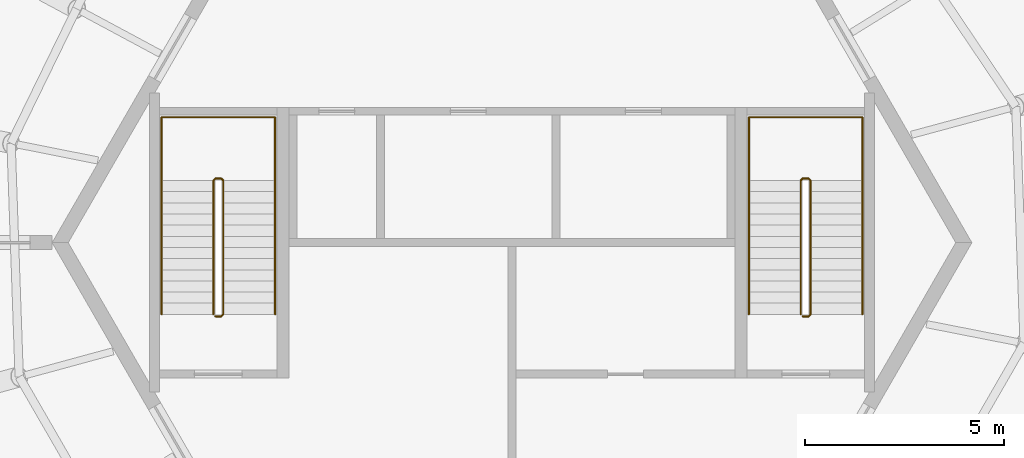
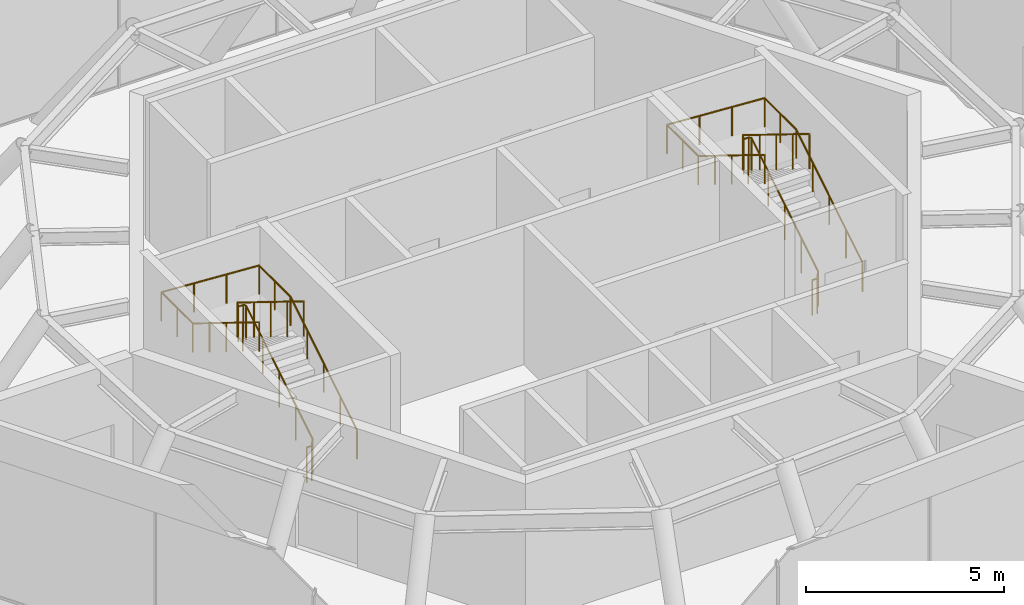
# One storey, part 9 of 9: 4 railings.
"""IFC4 building model written with IfcOpenShell, lengths in metres."""

from ifc_helpers import new_model, si_unit, direction, frame, origin, origin_2d, place, context, subcontext, project, spatial, circle, extrude, material, type_object, element, save


model = new_model("IFC4")

# Units and contexts
model_context = context("Model", 3, precision=1e-05, world=origin(), true_north=direction((0.0, 1.0)))
body_context = subcontext(model_context, "Body", "Model", "MODEL_VIEW")
ifc_project = project(units=[si_unit("LENGTHUNIT", "METRE"), si_unit("AREAUNIT", "SQUARE_METRE"), si_unit("VOLUMEUNIT", "CUBIC_METRE"), si_unit("PLANEANGLEUNIT", "RADIAN"), si_unit("MASSUNIT", "GRAM", prefix="KILO")], contexts=[model_context])

# Site, building, storey
site_placement = place(None, origin())
site = spatial("IfcSite", under=ifc_project, at=site_placement, CompositionType="ELEMENT")
building_placement = place(site_placement, origin())
building = spatial("IfcBuilding", under=site, at=building_placement, Name="Tarnside Tower", CompositionType="ELEMENT")
storey_placement = place(building_placement, frame((0.0, 0.0, 397.199951171875)))
storey = spatial("IfcBuildingStorey", under=building, at=storey_placement, Name="L94", CompositionType="ELEMENT", Elevation=397.199951171875)

# Railings
ifc_material = material(Name="Stainless steel", Category="steel")
railing_type_1 = type_object("IfcRailingType", Name="Stair guard 1100", PredefinedType="GUARDRAIL", material=ifc_material)
railing_1_placement = place(storey_placement, frame((7.300048828125, -1.85009765625, 0.0)))
element("IfcRailing", 1, at=railing_1_placement, inside=storey, type_object=railing_type_1, Name="L94 ST1 stair guard 1", PredefinedType="GUARDRAIL", context=body_context, shape_type="SweptSolid", body=[
    extrude(circle(Radius=0.02392578125, at=origin_2d()), frame((0.0, 0.0, 1.076171875), z_axis=(1.0, 0.0, 0.0), x_axis=(0.0, 1.0, 0.0)), (0.0, 0.0, 1.0), 0.14990234375),
    extrude(circle(Radius=0.02392578125, at=origin_2d()), frame((0.14990234375, 0.0, 1.076171875), z_axis=(0.267629722418, 0.267629722418, 0.925607186314), x_axis=(-0.707106781187, 0.707106781187, 0.0)), (0.0, 0.0, 1.0), 0.18701171875),
    extrude(circle(Radius=0.02392578125, at=origin_2d()), frame((0.199951171875, 0.050048828125, 1.2490234375), z_axis=(0.0, 0.850623216509, 0.525775754039), x_axis=(-1.0, 0.0, 0.0)), (0.0, 0.0, 1.0), 3.9501953125),
    extrude(circle(Radius=0.02392578125, at=origin_2d()), frame((0.199951171875, 3.41015625, 3.326171875), z_axis=(-0.707106781187, 0.707106781187, 0.0), x_axis=(-0.707106781187, -0.707106781187, 0.0)), (0.0, 0.0, 1.0), 0.07080078125),
    extrude(circle(Radius=0.02392578125, at=origin_2d()), frame((0.14990234375, 3.460205078125, 3.326171875), z_axis=(-1.0, 0.0, 0.0), x_axis=(0.0, -1.0, 0.0)), (0.0, 0.0, 1.0), 0.14990234375),
    extrude(circle(Radius=0.02392578125, at=origin_2d()), frame((0.0, 3.460205078125, 3.326171875), z_axis=(-0.267629722418, -0.267629722418, 0.925607186314), x_axis=(0.707106781187, -0.707106781187, 0.0)), (0.0, 0.0, 1.0), 0.18701171875),
    extrude(circle(Radius=0.02392578125, at=origin_2d()), frame((-0.050048828125, 3.41015625, 3.4990234375), z_axis=(0.0, -0.850623216509, 0.525775754039), x_axis=(1.0, 0.0, 0.0)), (0.0, 0.0, 1.0), 3.9501953125),
    extrude(circle(Radius=0.02099609375, at=origin_2d()), origin(), (0.0, 0.0, 1.0), 1.052001953125),
    extrude(circle(Radius=0.02099609375, at=origin_2d()), frame((0.14990234375, 0.0, 0.0)), (0.0, 0.0, 1.0), 1.052001953125),
    extrude(circle(Radius=0.02099609375, at=origin_2d()), frame((0.199951171875, 0.050048828125, 0.173095703125)), (0.0, 0.0, 1.0), 1.052001953125),
    extrude(circle(Radius=0.02099609375, at=origin_2d()), frame((0.199951171875, 0.89013671875, 0.6923828125)), (0.0, 0.0, 1.0), 1.052001953125),
    extrude(circle(Radius=0.02099609375, at=origin_2d()), frame((0.199951171875, 1.72998046875, 1.21142578125)), (0.0, 0.0, 1.0), 1.052001953125),
    extrude(circle(Radius=0.02099609375, at=origin_2d()), frame((0.199951171875, 2.570068359375, 1.730712890625)), (0.0, 0.0, 1.0), 1.052001953125),
    extrude(circle(Radius=0.02099609375, at=origin_2d()), frame((0.199951171875, 3.41015625, 2.25)), (0.0, 0.0, 1.0), 1.052001953125),
    extrude(circle(Radius=0.02099609375, at=origin_2d()), frame((0.14990234375, 3.460205078125, 2.25)), (0.0, 0.0, 1.0), 1.052001953125),
    extrude(circle(Radius=0.02099609375, at=origin_2d()), frame((0.0, 3.460205078125, 2.25)), (0.0, 0.0, 1.0), 1.052001953125),
    extrude(circle(Radius=0.02099609375, at=origin_2d()), frame((-0.050048828125, 3.41015625, 2.423095703125)), (0.0, 0.0, 1.0), 1.052001953125),
    extrude(circle(Radius=0.02099609375, at=origin_2d()), frame((-0.050048828125, 2.570068359375, 2.9423828125)), (0.0, 0.0, 1.0), 1.052001953125),
    extrude(circle(Radius=0.02099609375, at=origin_2d()), frame((-0.050048828125, 1.72998046875, 3.46142578125)), (0.0, 0.0, 1.0), 1.052001953125),
    extrude(circle(Radius=0.02099609375, at=origin_2d()), frame((-0.050048828125, 0.89013671875, 3.980712890625)), (0.0, 0.0, 1.0), 1.052001953125),
    extrude(circle(Radius=0.02099609375, at=origin_2d()), frame((-0.050048828125, 0.050048828125, 4.5)), (0.0, 0.0, 1.0), 1.052001953125),
])
railing_2_placement = place(storey_placement, frame((-7.449951171875, -1.85009765625, 0.0)))
element("IfcRailing", 2, at=railing_2_placement, inside=storey, type_object=railing_type_1, Name="L94 ST2 stair guard 1", PredefinedType="GUARDRAIL", context=body_context, shape_type="SweptSolid", body=[
    extrude(circle(Radius=0.02392578125, at=origin_2d()), frame((0.0, 0.0, 1.076171875), z_axis=(1.0, 0.0, 0.0), x_axis=(0.0, 1.0, 0.0)), (0.0, 0.0, 1.0), 0.14990234375),
    extrude(circle(Radius=0.02392578125, at=origin_2d()), frame((0.14990234375, 0.0, 1.076171875), z_axis=(0.267629722418, 0.267629722418, 0.925607186314), x_axis=(-0.707106781187, 0.707106781187, 0.0)), (0.0, 0.0, 1.0), 0.18701171875),
    extrude(circle(Radius=0.02392578125, at=origin_2d()), frame((0.199951171875, 0.050048828125, 1.2490234375), z_axis=(0.0, 0.850623216509, 0.525775754039), x_axis=(-1.0, 0.0, 0.0)), (0.0, 0.0, 1.0), 3.9501953125),
    extrude(circle(Radius=0.02392578125, at=origin_2d()), frame((0.199951171875, 3.41015625, 3.326171875), z_axis=(-0.707106781187, 0.707106781187, 0.0), x_axis=(-0.707106781187, -0.707106781187, 0.0)), (0.0, 0.0, 1.0), 0.07080078125),
    extrude(circle(Radius=0.02392578125, at=origin_2d()), frame((0.14990234375, 3.460205078125, 3.326171875), z_axis=(-1.0, 0.0, 0.0), x_axis=(0.0, -1.0, 0.0)), (0.0, 0.0, 1.0), 0.14990234375),
    extrude(circle(Radius=0.02392578125, at=origin_2d()), frame((0.0, 3.460205078125, 3.326171875), z_axis=(-0.267629722418, -0.267629722418, 0.925607186314), x_axis=(0.707106781187, -0.707106781187, 0.0)), (0.0, 0.0, 1.0), 0.18701171875),
    extrude(circle(Radius=0.02392578125, at=origin_2d()), frame((-0.050048828125, 3.41015625, 3.4990234375), z_axis=(0.0, -0.850623216509, 0.525775754039), x_axis=(1.0, 0.0, 0.0)), (0.0, 0.0, 1.0), 3.9501953125),
    extrude(circle(Radius=0.02099609375, at=origin_2d()), origin(), (0.0, 0.0, 1.0), 1.052001953125),
    extrude(circle(Radius=0.02099609375, at=origin_2d()), frame((0.14990234375, 0.0, 0.0)), (0.0, 0.0, 1.0), 1.052001953125),
    extrude(circle(Radius=0.02099609375, at=origin_2d()), frame((0.199951171875, 0.050048828125, 0.173095703125)), (0.0, 0.0, 1.0), 1.052001953125),
    extrude(circle(Radius=0.02099609375, at=origin_2d()), frame((0.199951171875, 0.89013671875, 0.6923828125)), (0.0, 0.0, 1.0), 1.052001953125),
    extrude(circle(Radius=0.02099609375, at=origin_2d()), frame((0.199951171875, 1.72998046875, 1.21142578125)), (0.0, 0.0, 1.0), 1.052001953125),
    extrude(circle(Radius=0.02099609375, at=origin_2d()), frame((0.199951171875, 2.570068359375, 1.730712890625)), (0.0, 0.0, 1.0), 1.052001953125),
    extrude(circle(Radius=0.02099609375, at=origin_2d()), frame((0.199951171875, 3.41015625, 2.25)), (0.0, 0.0, 1.0), 1.052001953125),
    extrude(circle(Radius=0.02099609375, at=origin_2d()), frame((0.14990234375, 3.460205078125, 2.25)), (0.0, 0.0, 1.0), 1.052001953125),
    extrude(circle(Radius=0.02099609375, at=origin_2d()), frame((0.0, 3.460205078125, 2.25)), (0.0, 0.0, 1.0), 1.052001953125),
    extrude(circle(Radius=0.02099609375, at=origin_2d()), frame((-0.050048828125, 3.41015625, 2.423095703125)), (0.0, 0.0, 1.0), 1.052001953125),
    extrude(circle(Radius=0.02099609375, at=origin_2d()), frame((-0.050048828125, 2.570068359375, 2.9423828125)), (0.0, 0.0, 1.0), 1.052001953125),
    extrude(circle(Radius=0.02099609375, at=origin_2d()), frame((-0.050048828125, 1.72998046875, 3.46142578125)), (0.0, 0.0, 1.0), 1.052001953125),
    extrude(circle(Radius=0.02099609375, at=origin_2d()), frame((-0.050048828125, 0.89013671875, 3.980712890625)), (0.0, 0.0, 1.0), 1.052001953125),
    extrude(circle(Radius=0.02099609375, at=origin_2d()), frame((-0.050048828125, 0.050048828125, 4.5)), (0.0, 0.0, 1.0), 1.052001953125),
])
railing_type_2 = type_object("IfcRailingType", Name="Stair handrail 900", PredefinedType="HANDRAIL", material=ifc_material)
railing_3_placement = place(storey_placement, frame((8.800048828125, -1.800048828125, 0.173095703125)))
element("IfcRailing", 3, at=railing_3_placement, inside=storey, type_object=railing_type_2, Name="L94 ST1 stair handrail 1", PredefinedType="HANDRAIL", context=body_context, shape_type="SweptSolid", body=[
    extrude(circle(Radius=0.02392578125, at=origin_2d()), frame((0.0, 0.0, 0.8857421875), z_axis=(0.0, 0.850623216509, 0.525775754039), x_axis=(-1.0, 0.0, 0.0)), (0.0, 0.0, 1.0), 3.9501953125),
    extrude(circle(Radius=0.02392578125, at=origin_2d()), frame((0.0, 3.360107421875, 2.962890625), z_axis=(0.0, 1.0, 0.0), x_axis=(-1.0, 0.0, 0.0)), (0.0, 0.0, 1.0), 1.58984375),
    extrude(circle(Radius=0.02392578125, at=origin_2d()), frame((0.0, 4.949951171875, 2.962890625), z_axis=(-0.9981608223, 0.0, 0.060621554138), x_axis=(0.0, -1.0, 0.0)), (0.0, 0.0, 1.0), 2.85546875),
    extrude(circle(Radius=0.02392578125, at=origin_2d()), frame((-2.85009765625, 4.949951171875, 3.1357421875), z_axis=(0.0, -1.0, 0.0), x_axis=(1.0, 0.0, 0.0)), (0.0, 0.0, 1.0), 1.58984375),
    extrude(circle(Radius=0.02392578125, at=origin_2d()), frame((-2.85009765625, 3.360107421875, 3.1357421875), z_axis=(0.0, -0.850623216509, 0.525775754039), x_axis=(1.0, 0.0, 0.0)), (0.0, 0.0, 1.0), 3.9501953125),
    extrude(circle(Radius=0.02099609375, at=origin_2d()), origin(), (0.0, 0.0, 1.0), 0.86181640625),
    extrude(circle(Radius=0.02099609375, at=origin_2d()), frame((0.0, 0.840087890625, 0.519287109375)), (0.0, 0.0, 1.0), 0.86181640625),
    extrude(circle(Radius=0.02099609375, at=origin_2d()), frame((0.0, 1.68017578125, 1.03857421875)), (0.0, 0.0, 1.0), 0.86181640625),
    extrude(circle(Radius=0.02099609375, at=origin_2d()), frame((0.0, 2.52001953125, 1.5576171875)), (0.0, 0.0, 1.0), 0.86181640625),
    extrude(circle(Radius=0.02099609375, at=origin_2d()), frame((0.0, 3.360107421875, 2.076904296875)), (0.0, 0.0, 1.0), 0.86181640625),
    extrude(circle(Radius=0.02099609375, at=origin_2d()), frame((0.0, 4.155029296875, 2.076904296875)), (0.0, 0.0, 1.0), 0.86181640625),
    extrude(circle(Radius=0.02099609375, at=origin_2d()), frame((0.0, 4.949951171875, 2.076904296875)), (0.0, 0.0, 1.0), 0.86181640625),
    extrude(circle(Radius=0.02099609375, at=origin_2d()), frame((-0.949951171875, 4.949951171875, 2.134521484375)), (0.0, 0.0, 1.0), 0.86181640625),
    extrude(circle(Radius=0.02099609375, at=origin_2d()), frame((-1.900146484375, 4.949951171875, 2.1923828125)), (0.0, 0.0, 1.0), 0.86181640625),
    extrude(circle(Radius=0.02099609375, at=origin_2d()), frame((-2.85009765625, 4.949951171875, 2.25)), (0.0, 0.0, 1.0), 0.86181640625),
    extrude(circle(Radius=0.02099609375, at=origin_2d()), frame((-2.85009765625, 4.155029296875, 2.25)), (0.0, 0.0, 1.0), 0.86181640625),
    extrude(circle(Radius=0.02099609375, at=origin_2d()), frame((-2.85009765625, 3.360107421875, 2.25)), (0.0, 0.0, 1.0), 0.86181640625),
    extrude(circle(Radius=0.02099609375, at=origin_2d()), frame((-2.85009765625, 2.52001953125, 2.769287109375)), (0.0, 0.0, 1.0), 0.86181640625),
    extrude(circle(Radius=0.02099609375, at=origin_2d()), frame((-2.85009765625, 1.68017578125, 3.28857421875)), (0.0, 0.0, 1.0), 0.86181640625),
    extrude(circle(Radius=0.02099609375, at=origin_2d()), frame((-2.85009765625, 0.840087890625, 3.8076171875)), (0.0, 0.0, 1.0), 0.86181640625),
    extrude(circle(Radius=0.02099609375, at=origin_2d()), frame((-2.85009765625, 0.0, 4.326904296875)), (0.0, 0.0, 1.0), 0.86181640625),
])
railing_4_placement = place(storey_placement, frame((-5.949951171875, -1.800048828125, 0.173095703125)))
element("IfcRailing", 4, at=railing_4_placement, inside=storey, type_object=railing_type_2, Name="L94 ST2 stair handrail 1", PredefinedType="HANDRAIL", context=body_context, shape_type="SweptSolid", body=[
    extrude(circle(Radius=0.02392578125, at=origin_2d()), frame((0.0, 0.0, 0.8857421875), z_axis=(0.0, 0.850623216509, 0.525775754039), x_axis=(-1.0, 0.0, 0.0)), (0.0, 0.0, 1.0), 3.9501953125),
    extrude(circle(Radius=0.02392578125, at=origin_2d()), frame((0.0, 3.360107421875, 2.962890625), z_axis=(0.0, 1.0, 0.0), x_axis=(-1.0, 0.0, 0.0)), (0.0, 0.0, 1.0), 1.58984375),
    extrude(circle(Radius=0.02392578125, at=origin_2d()), frame((0.0, 4.949951171875, 2.962890625), z_axis=(-0.9981608223, 0.0, 0.060621554138), x_axis=(0.0, -1.0, 0.0)), (0.0, 0.0, 1.0), 2.85546875),
    extrude(circle(Radius=0.02392578125, at=origin_2d()), frame((-2.85009765625, 4.949951171875, 3.1357421875), z_axis=(0.0, -1.0, 0.0), x_axis=(1.0, 0.0, 0.0)), (0.0, 0.0, 1.0), 1.58984375),
    extrude(circle(Radius=0.02392578125, at=origin_2d()), frame((-2.85009765625, 3.360107421875, 3.1357421875), z_axis=(0.0, -0.850623216509, 0.525775754039), x_axis=(1.0, 0.0, 0.0)), (0.0, 0.0, 1.0), 3.9501953125),
    extrude(circle(Radius=0.02099609375, at=origin_2d()), origin(), (0.0, 0.0, 1.0), 0.86181640625),
    extrude(circle(Radius=0.02099609375, at=origin_2d()), frame((0.0, 0.840087890625, 0.519287109375)), (0.0, 0.0, 1.0), 0.86181640625),
    extrude(circle(Radius=0.02099609375, at=origin_2d()), frame((0.0, 1.68017578125, 1.03857421875)), (0.0, 0.0, 1.0), 0.86181640625),
    extrude(circle(Radius=0.02099609375, at=origin_2d()), frame((0.0, 2.52001953125, 1.5576171875)), (0.0, 0.0, 1.0), 0.86181640625),
    extrude(circle(Radius=0.02099609375, at=origin_2d()), frame((0.0, 3.360107421875, 2.076904296875)), (0.0, 0.0, 1.0), 0.86181640625),
    extrude(circle(Radius=0.02099609375, at=origin_2d()), frame((0.0, 4.155029296875, 2.076904296875)), (0.0, 0.0, 1.0), 0.86181640625),
    extrude(circle(Radius=0.02099609375, at=origin_2d()), frame((0.0, 4.949951171875, 2.076904296875)), (0.0, 0.0, 1.0), 0.86181640625),
    extrude(circle(Radius=0.02099609375, at=origin_2d()), frame((-0.949951171875, 4.949951171875, 2.134521484375)), (0.0, 0.0, 1.0), 0.86181640625),
    extrude(circle(Radius=0.02099609375, at=origin_2d()), frame((-1.900146484375, 4.949951171875, 2.1923828125)), (0.0, 0.0, 1.0), 0.86181640625),
    extrude(circle(Radius=0.02099609375, at=origin_2d()), frame((-2.85009765625, 4.949951171875, 2.25)), (0.0, 0.0, 1.0), 0.86181640625),
    extrude(circle(Radius=0.02099609375, at=origin_2d()), frame((-2.85009765625, 4.155029296875, 2.25)), (0.0, 0.0, 1.0), 0.86181640625),
    extrude(circle(Radius=0.02099609375, at=origin_2d()), frame((-2.85009765625, 3.360107421875, 2.25)), (0.0, 0.0, 1.0), 0.86181640625),
    extrude(circle(Radius=0.02099609375, at=origin_2d()), frame((-2.85009765625, 2.52001953125, 2.769287109375)), (0.0, 0.0, 1.0), 0.86181640625),
    extrude(circle(Radius=0.02099609375, at=origin_2d()), frame((-2.85009765625, 1.68017578125, 3.28857421875)), (0.0, 0.0, 1.0), 0.86181640625),
    extrude(circle(Radius=0.02099609375, at=origin_2d()), frame((-2.85009765625, 0.840087890625, 3.8076171875)), (0.0, 0.0, 1.0), 0.86181640625),
    extrude(circle(Radius=0.02099609375, at=origin_2d()), frame((-2.85009765625, 0.0, 4.326904296875)), (0.0, 0.0, 1.0), 0.86181640625),
])

save(model, "model.ifc")
